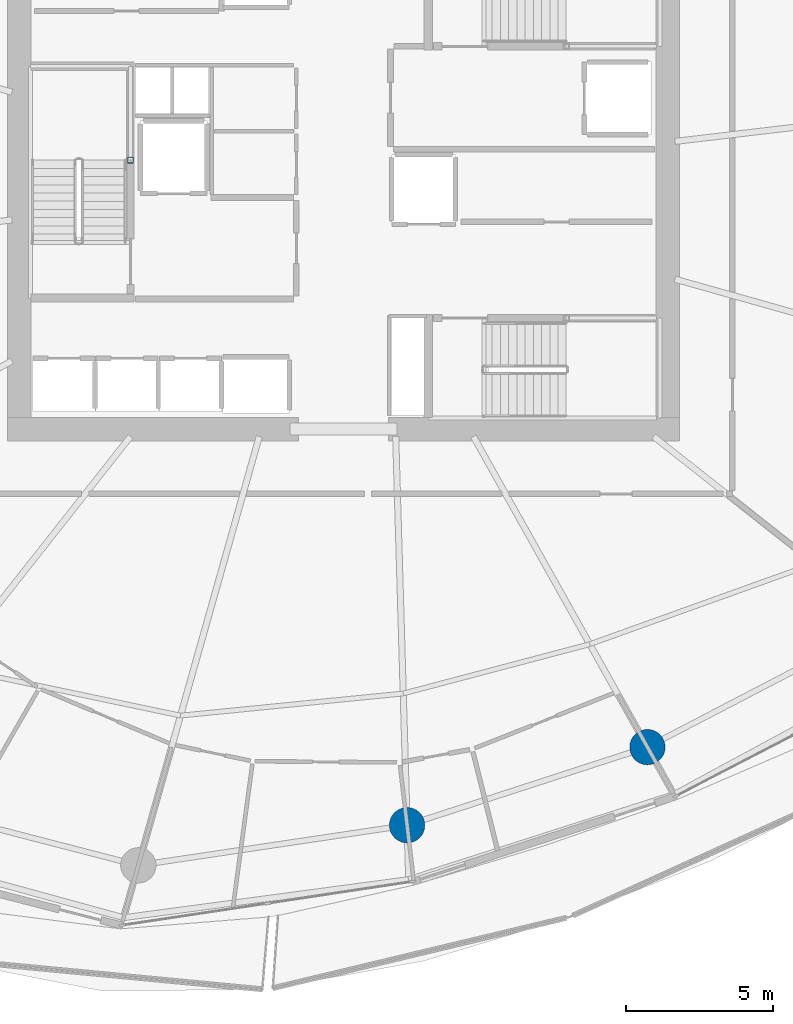
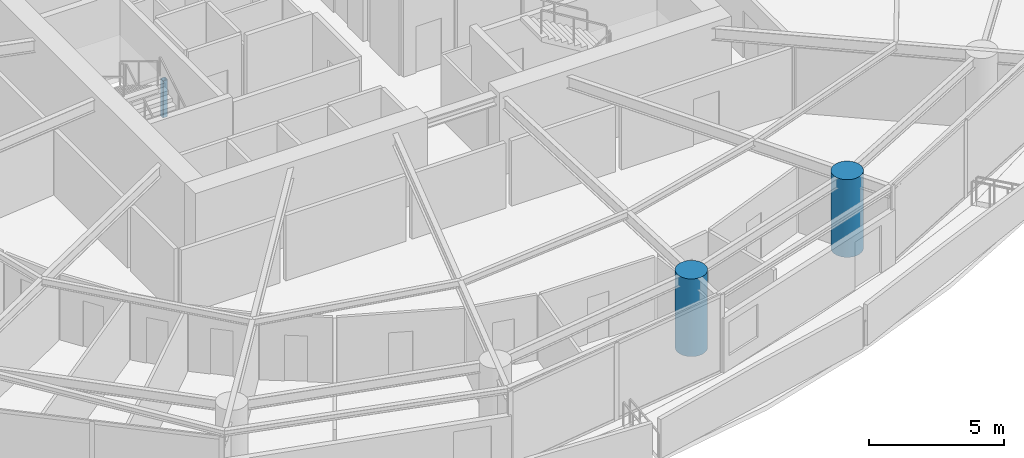
# One storey, part 2 of 23: 3 columns.
"""IFC4 building model written with IfcOpenShell, lengths in metres."""

from ifc_helpers import new_model, si_unit, direction, frame, origin, origin_2d, place, context, subcontext, project, spatial, hollow_rectangle, circle, extrude, material, material_profile, profile_set, type_object, element, save


model = new_model("IFC4")

# Units and contexts
model_context = context("Model", 3, precision=1e-05, world=origin(), true_north=direction((0.0, 1.0)))
body_context = subcontext(model_context, "Body", "Model", "MODEL_VIEW")
ifc_project = project(units=[si_unit("LENGTHUNIT", "METRE"), si_unit("AREAUNIT", "SQUARE_METRE"), si_unit("VOLUMEUNIT", "CUBIC_METRE"), si_unit("PLANEANGLEUNIT", "RADIAN"), si_unit("MASSUNIT", "GRAM", prefix="KILO")], contexts=[model_context])

# Site, building, storey
site_placement = place(None, origin())
site = spatial("IfcSite", under=ifc_project, at=site_placement, CompositionType="ELEMENT")
building_placement = place(site_placement, origin())
building = spatial("IfcBuilding", under=site, at=building_placement, Name="Kazma Halo Residences", CompositionType="ELEMENT")
storey_placement = place(building_placement, frame((0.0, 0.0, 105.14990234375)))
storey = spatial("IfcBuildingStorey", under=building, at=storey_placement, Name="L26", CompositionType="ELEMENT", Elevation=105.14990234375)

# Columns
ifc_material_1 = material(Name="Steel S355", Category="steel")
ifc_material_profile_1 = material_profile(ifc_material_1, hollow_rectangle(XDim=0.199951171875, YDim=0.199951171875, WallThickness=0.010009765625, InnerFilletRadius=0.010009765625, OuterFilletRadius=0.02001953125, at=origin_2d()), Name="SHS200x200x10")
ifc_profile_set_1 = profile_set([ifc_material_profile_1], Name="Steel S355")
column_type_1 = type_object("IfcColumnType", Name="COL-LP-SHS200", PredefinedType="COLUMN", material=ifc_profile_set_1)
column_placement = place(storey_placement, frame((41.179931640625, 42.75, 0.0), z_axis=(0.0, 0.0, 1.0), x_axis=(1.0, 0.0, 0.0)))
element("IfcColumn", 1, at=column_placement, inside=storey, type_object=column_type_1, Name="L26 ST-01 landing pilaster 1", PredefinedType="COLUMN", context=body_context, shape_type="SweptSolid", body=[
    extrude(hollow_rectangle(XDim=0.199951171875, YDim=0.199951171875, WallThickness=0.010009765625, InnerFilletRadius=0.010009765625, OuterFilletRadius=0.02001953125, at=origin_2d()), origin(), (0.0, 0.0, 1.0), 1.670166015625),
])
ifc_material_2 = material(Name="Concrete C80/95", Category="concrete")
ifc_material_profile_2 = material_profile(ifc_material_2, circle(Radius=0.60009765625, at=origin_2d()), Name="CIRC1200")
ifc_profile_set_2 = profile_set([ifc_material_profile_2], Name="Concrete C80/95")
column_type_2 = type_object("IfcColumnType", Name="COL-PERIM-1200", PredefinedType="COLUMN", material=ifc_profile_set_2)
for number, where, z_axis, x_axis, name in (
    (2, (50.58837890625, 20.130859375, 0.0), (0.0, 0.0, 1.0), (1.0, 0.0, 0.0), "L26 perimeter ring column P12"),
    (3, (58.76025390625, 22.7861328125, 0.0), (0.0, 0.0, 1.0), (1.0, 0.0, 0.0), "L26 perimeter ring column P13"),
):
    element("IfcColumn", number, at=place(storey_placement, frame(where, z_axis=z_axis, x_axis=x_axis)), inside=storey, type_object=column_type_2, Name=name, PredefinedType="COLUMN", context=body_context, shape_type="SweptSolid", body=[
        extrude(circle(Radius=0.60009765625, at=origin_2d()), origin(), (0.0, 0.0, 1.0), 3.5),
    ])

save(model, "model.ifc")
